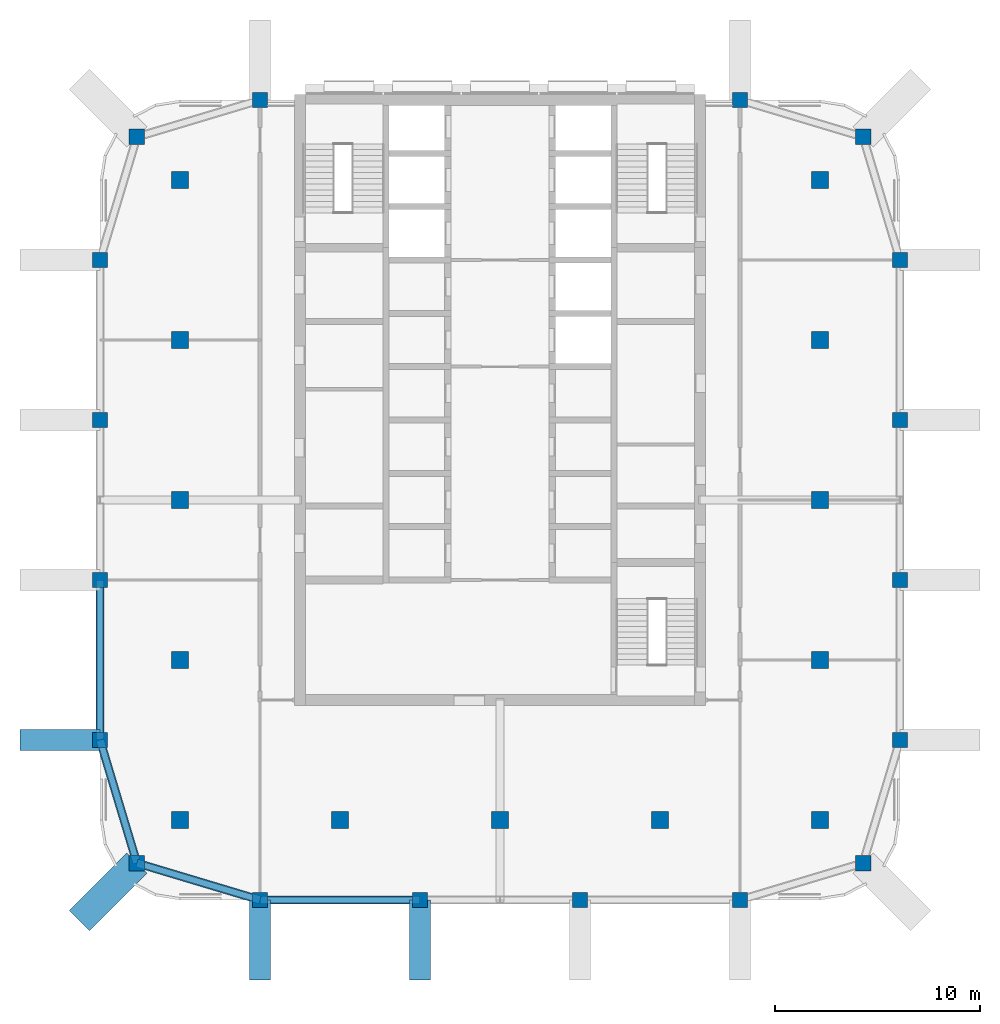
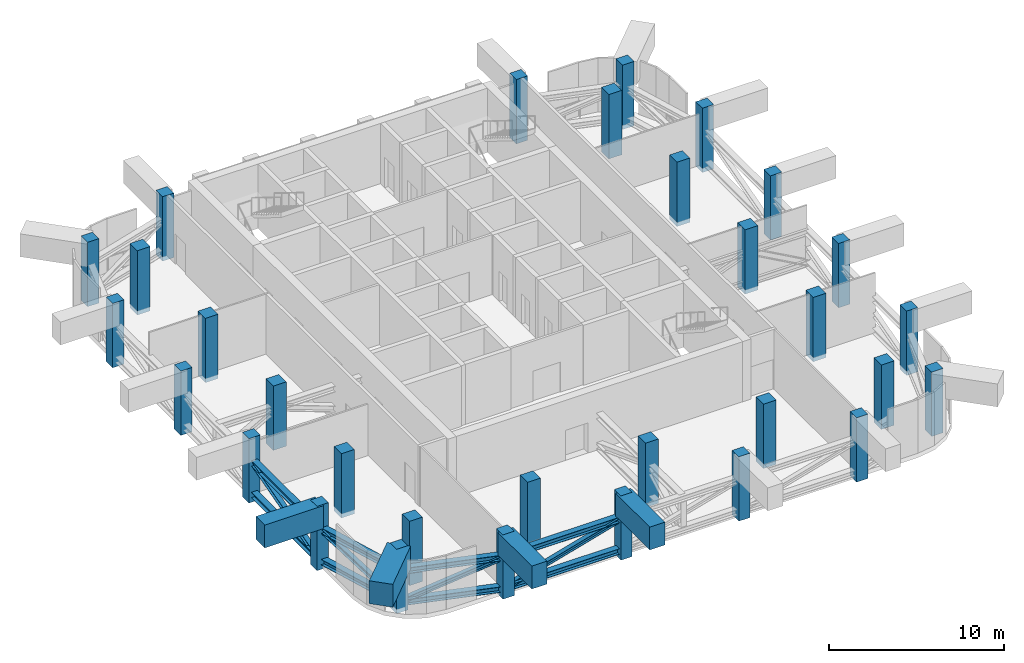
# One storey, part 1 of 13: 31 columns, 12 members, 4 beams.
"""IFC4 building model written with IfcOpenShell, lengths in metres."""

from ifc_helpers import new_model, si_unit, direction, frame, origin, origin_2d, place, context, subcontext, project, spatial, rectangle, i_section, extrude, material, material_profile, profile_set, type_object, element, save


model = new_model("IFC4")

# Units and contexts
model_context = context("Model", 3, precision=1e-05, world=origin(), true_north=direction((0.0, 1.0)))
body_context = subcontext(model_context, "Body", "Model", "MODEL_VIEW")
ifc_project = project(units=[si_unit("LENGTHUNIT", "METRE"), si_unit("AREAUNIT", "SQUARE_METRE"), si_unit("VOLUMEUNIT", "CUBIC_METRE"), si_unit("PLANEANGLEUNIT", "RADIAN"), si_unit("MASSUNIT", "GRAM", prefix="KILO")], contexts=[model_context])

# Site, building, storey
site_placement = place(None, origin())
site = spatial("IfcSite", under=ifc_project, at=site_placement, CompositionType="ELEMENT")
building_placement = place(site_placement, origin())
building = spatial("IfcBuilding", under=site, at=building_placement, Name="Ludao Terraces", CompositionType="ELEMENT")
storey_placement = place(building_placement, frame((0.0, 0.0, 192.800048828125)))
storey = spatial("IfcBuildingStorey", under=building, at=storey_placement, Name="L52", CompositionType="ELEMENT", Elevation=192.800048828125)

# Columns
ifc_material_1 = material(Name="Concrete C45", Category="concrete")
ifc_material_profile_1 = material_profile(ifc_material_1, rectangle(XDim=0.75, YDim=0.75, at=origin_2d()), Name="750 X 750")
ifc_profile_set_1 = profile_set([ifc_material_profile_1], Name="Concrete C45")
column_type_1 = type_object("IfcColumnType", Name="RC column 750x750 C45", PredefinedType="COLUMN", material=ifc_profile_set_1)
for number, where, z_axis, x_axis, name in (
    (1, (67.300048828125, 47.300048828125, -0.300048828125), (0.0, 0.0, 1.0), (1.0, 0.0, 0.0), "Column L52 C0057x0057"),
    (2, (102.699951171875, 47.300048828125, -0.300048828125), (0.0, 0.0, 1.0), (1.0, 0.0, 0.0), "Column L52 C0411x0057"),
    (3, (67.300048828125, 82.699951171875, -0.300048828125), (0.0, 0.0, 1.0), (1.0, 0.0, 0.0), "Column L52 C0057x0411"),
    (4, (102.699951171875, 82.699951171875, -0.300048828125), (0.0, 0.0, 1.0), (1.0, 0.0, 0.0), "Column L52 C0411x0411"),
    (5, (65.5, 53.300048828125, -0.300048828125), (0.0, 0.0, 1.0), (1.0, 0.0, 0.0), "Column L52 W0039x0117"),
    (6, (104.5, 53.300048828125, -0.300048828125), (0.0, 0.0, 1.0), (1.0, 0.0, 0.0), "Column L52 W0429x0117"),
    (7, (73.300048828125, 45.5, -0.300048828125), (0.0, 0.0, 1.0), (1.0, 0.0, 0.0), "Column L52 W0117x0039"),
    (8, (73.300048828125, 84.5, -0.300048828125), (0.0, 0.0, 1.0), (1.0, 0.0, 0.0), "Column L52 W0117x0429"),
    (9, (65.5, 61.10009765625, -0.300048828125), (0.0, 0.0, 1.0), (1.0, 0.0, 0.0), "Column L52 W0039x0195"),
    (10, (104.5, 61.10009765625, -0.300048828125), (0.0, 0.0, 1.0), (1.0, 0.0, 0.0), "Column L52 W0429x0195"),
    (11, (81.10009765625, 45.5, -0.300048828125), (0.0, 0.0, 1.0), (1.0, 0.0, 0.0), "Column L52 W0195x0039"),
    (12, (65.5, 68.89990234375, -0.300048828125), (0.0, 0.0, 1.0), (1.0, 0.0, 0.0), "Column L52 W0039x0273"),
    (13, (104.5, 68.89990234375, -0.300048828125), (0.0, 0.0, 1.0), (1.0, 0.0, 0.0), "Column L52 W0429x0273"),
    (14, (88.89990234375, 45.5, -0.300048828125), (0.0, 0.0, 1.0), (1.0, 0.0, 0.0), "Column L52 W0273x0039"),
    (15, (65.5, 76.699951171875, -0.300048828125), (0.0, 0.0, 1.0), (1.0, 0.0, 0.0), "Column L52 W0039x0351"),
    (16, (104.5, 76.699951171875, -0.300048828125), (0.0, 0.0, 1.0), (1.0, 0.0, 0.0), "Column L52 W0429x0351"),
    (17, (96.699951171875, 45.5, -0.300048828125), (0.0, 0.0, 1.0), (1.0, 0.0, 0.0), "Column L52 W0351x0039"),
    (18, (96.699951171875, 84.5, -0.300048828125), (0.0, 0.0, 1.0), (1.0, 0.0, 0.0), "Column L52 W0351x0429"),
):
    element("IfcColumn", number, at=place(storey_placement, frame(where, z_axis=z_axis, x_axis=x_axis)), inside=storey, type_object=column_type_1, Name=name, PredefinedType="COLUMN", context=body_context, shape_type="SweptSolid", body=[
        extrude(rectangle(XDim=0.75, YDim=0.75, at=origin_2d()), origin(), (0.0, 0.0, 1.0), 4.5),
    ])
ifc_material_profile_2 = material_profile(ifc_material_1, rectangle(XDim=0.85009765625, YDim=0.85009765625, at=origin_2d()), Name="850 X 850")
ifc_profile_set_2 = profile_set([ifc_material_profile_2], Name="Concrete C45")
column_type_2 = type_object("IfcColumnType", Name="RC column 850x850 C45", PredefinedType="COLUMN", material=ifc_profile_set_2)
for number, where, z_axis, x_axis, name in (
    (19, (69.39990234375, 49.39990234375, -0.300048828125), (0.0, 0.0, 1.0), (1.0, 0.0, 0.0), "Column L52 S0078x0078"),
    (20, (69.39990234375, 57.199951171875, -0.300048828125), (0.0, 0.0, 1.0), (1.0, 0.0, 0.0), "Column L52 S0078x0156"),
    (21, (69.39990234375, 65.0, -0.300048828125), (0.0, 0.0, 1.0), (1.0, 0.0, 0.0), "Column L52 S0078x0234"),
    (22, (69.39990234375, 72.800048828125, -0.300048828125), (0.0, 0.0, 1.0), (1.0, 0.0, 0.0), "Column L52 S0078x0312"),
    (23, (69.39990234375, 80.60009765625, -0.300048828125), (0.0, 0.0, 1.0), (1.0, 0.0, 0.0), "Column L52 S0078x0390"),
    (24, (77.199951171875, 49.39990234375, -0.300048828125), (0.0, 0.0, 1.0), (1.0, 0.0, 0.0), "Column L52 S0156x0078"),
    (25, (85.0, 49.39990234375, -0.300048828125), (0.0, 0.0, 1.0), (1.0, 0.0, 0.0), "Column L52 S0234x0078"),
    (26, (92.800048828125, 49.39990234375, -0.300048828125), (0.0, 0.0, 1.0), (1.0, 0.0, 0.0), "Column L52 S0312x0078"),
    (27, (100.60009765625, 49.39990234375, -0.300048828125), (0.0, 0.0, 1.0), (1.0, 0.0, 0.0), "Column L52 S0390x0078"),
    (28, (100.60009765625, 57.199951171875, -0.300048828125), (0.0, 0.0, 1.0), (1.0, 0.0, 0.0), "Column L52 S0390x0156"),
    (29, (100.60009765625, 65.0, -0.300048828125), (0.0, 0.0, 1.0), (1.0, 0.0, 0.0), "Column L52 S0390x0234"),
    (30, (100.60009765625, 72.800048828125, -0.300048828125), (0.0, 0.0, 1.0), (1.0, 0.0, 0.0), "Column L52 S0390x0312"),
    (31, (100.60009765625, 80.60009765625, -0.300048828125), (0.0, 0.0, 1.0), (1.0, 0.0, 0.0), "Column L52 S0390x0390"),
):
    element("IfcColumn", number, at=place(storey_placement, frame(where, z_axis=z_axis, x_axis=x_axis)), inside=storey, type_object=column_type_2, Name=name, PredefinedType="COLUMN", context=body_context, shape_type="SweptSolid", body=[
        extrude(rectangle(XDim=0.85009765625, YDim=0.85009765625, at=origin_2d()), origin(), (0.0, 0.0, 1.0), 4.5),
    ])

# Members
ifc_material_2 = material(Name="Steel Q355", Category="steel")
ifc_material_profile_3 = material_profile(ifc_material_2, i_section(OverallWidth=0.39990234375, OverallDepth=0.39990234375, WebThickness=0.012939453125, FlangeThickness=0.02099609375, at=origin_2d()), Name="HW 400X400X13X21")
ifc_profile_set_3 = profile_set([ifc_material_profile_3], Name="Steel Q355")
member_type_1 = type_object("IfcMemberType", Name="Belt truss chord HW 400x400x13x21 Q355", PredefinedType="CHORD", material=ifc_profile_set_3)
for number, where, z_axis, x_axis, name in (
    (32, (67.300048828125, 47.300048828125, 2.39990234375), (0.957824139839, -0.287355036744, 0.0), (0.287355036744, 0.957824139839, 0.0), "Truss chord L52 BT1T1"),
    (33, (67.300048828125, 47.300048828125, 0.199951171875), (0.957824139839, -0.287355036744, 0.0), (0.287355036744, 0.957824139839, 0.0), "Truss chord L52 BT1B1"),
):
    element("IfcMember", number, at=place(storey_placement, frame(where, z_axis=z_axis, x_axis=x_axis)), inside=storey, type_object=member_type_1, Name=name, PredefinedType="CHORD", context=body_context, shape_type="SweptSolid", body=[
        extrude(i_section(OverallWidth=0.39990234375, OverallDepth=0.39990234375, WebThickness=0.012939453125, FlangeThickness=0.02099609375, at=origin_2d()), origin(), (0.0, 0.0, 1.0), 6.26416015625),
    ])
for number, where, z_axis, x_axis, name in (
    (34, (73.300048828125, 45.5, 2.39990234375), (1.0, 0.0, 0.0), (0.0, 1.0, 0.0), "Truss chord L52 BT2T1"),
    (35, (73.300048828125, 45.5, 0.199951171875), (1.0, 0.0, 0.0), (0.0, 1.0, 0.0), "Truss chord L52 BT2B1"),
):
    element("IfcMember", number, at=place(storey_placement, frame(where, z_axis=z_axis, x_axis=x_axis)), inside=storey, type_object=member_type_1, Name=name, PredefinedType="CHORD", context=body_context, shape_type="SweptSolid", body=[
        extrude(i_section(OverallWidth=0.39990234375, OverallDepth=0.39990234375, WebThickness=0.012939453125, FlangeThickness=0.02099609375, at=origin_2d()), origin(), (0.0, 0.0, 1.0), 7.800048828125),
    ])
for number, where, z_axis, x_axis, name in (
    (36, (67.300048828125, 47.300048828125, 2.39990234375), (-0.287355036744, 0.957824139839, 0.0), (-0.957824139839, -0.287355036744, 0.0), "Truss chord L52 BT8T1"),
    (37, (67.300048828125, 47.300048828125, 0.199951171875), (-0.287355036744, 0.957824139839, 0.0), (-0.957824139839, -0.287355036744, 0.0), "Truss chord L52 BT8B1"),
):
    element("IfcMember", number, at=place(storey_placement, frame(where, z_axis=z_axis, x_axis=x_axis)), inside=storey, type_object=member_type_1, Name=name, PredefinedType="CHORD", context=body_context, shape_type="SweptSolid", body=[
        extrude(i_section(OverallWidth=0.39990234375, OverallDepth=0.39990234375, WebThickness=0.012939453125, FlangeThickness=0.02099609375, at=origin_2d()), origin(), (0.0, 0.0, 1.0), 6.26416015625),
    ])
for number, where, z_axis, x_axis, name in (
    (38, (65.5, 53.300048828125, 2.39990234375), (0.0, 1.0, 0.0), (-1.0, 0.0, 0.0), "Truss chord L52 BT9T1"),
    (39, (65.5, 53.300048828125, 0.199951171875), (0.0, 1.0, 0.0), (-1.0, 0.0, 0.0), "Truss chord L52 BT9B1"),
):
    element("IfcMember", number, at=place(storey_placement, frame(where, z_axis=z_axis, x_axis=x_axis)), inside=storey, type_object=member_type_1, Name=name, PredefinedType="CHORD", context=body_context, shape_type="SweptSolid", body=[
        extrude(i_section(OverallWidth=0.39990234375, OverallDepth=0.39990234375, WebThickness=0.012939453125, FlangeThickness=0.02099609375, at=origin_2d()), origin(), (0.0, 0.0, 1.0), 7.800048828125),
    ])
ifc_material_profile_4 = material_profile(ifc_material_2, i_section(OverallWidth=0.300048828125, OverallDepth=0.300048828125, WebThickness=0.010009765625, FlangeThickness=0.014892578125, at=origin_2d()), Name="HW 300X300X10X15")
ifc_profile_set_4 = profile_set([ifc_material_profile_4], Name="Steel Q355")
member_type_2 = type_object("IfcMemberType", Name="Belt truss diagonal HW 300x300x10x15 Q355", PredefinedType="BRACE", material=ifc_profile_set_4)
member_1_placement = place(storey_placement, frame((67.300048828125, 47.300048828125, 0.199951171875), z_axis=(0.903713250067, -0.271121329457, 0.331354170587), x_axis=(0.287355036744, 0.957824139839, 0.0)))
element("IfcMember", 40, at=member_1_placement, inside=storey, type_object=member_type_2, Name="Truss diagonal L52 BT11", PredefinedType="BRACE", context=body_context, shape_type="SweptSolid", body=[
    extrude(i_section(OverallWidth=0.300048828125, OverallDepth=0.300048828125, WebThickness=0.010009765625, FlangeThickness=0.014892578125, at=origin_2d()), origin(), (0.0, 0.0, 1.0), 6.63916015625),
])
member_2_placement = place(storey_placement, frame((73.300048828125, 45.5, 0.199951171875), z_axis=(0.962451694053, 0.0, 0.271453009957), x_axis=(0.0, 1.0, 0.0)))
element("IfcMember", 41, at=member_2_placement, inside=storey, type_object=member_type_2, Name="Truss diagonal L52 BT21", PredefinedType="BRACE", context=body_context, shape_type="SweptSolid", body=[
    extrude(i_section(OverallWidth=0.300048828125, OverallDepth=0.300048828125, WebThickness=0.010009765625, FlangeThickness=0.014892578125, at=origin_2d()), origin(), (0.0, 0.0, 1.0), 8.104248046875),
])
member_3_placement = place(storey_placement, frame((67.300048828125, 47.300048828125, 0.199951171875), z_axis=(-0.271121329457, 0.903713250067, 0.331354170587), x_axis=(-0.957824139839, -0.287355036744, 0.0)))
element("IfcMember", 42, at=member_3_placement, inside=storey, type_object=member_type_2, Name="Truss diagonal L52 BT81", PredefinedType="BRACE", context=body_context, shape_type="SweptSolid", body=[
    extrude(i_section(OverallWidth=0.300048828125, OverallDepth=0.300048828125, WebThickness=0.010009765625, FlangeThickness=0.014892578125, at=origin_2d()), origin(), (0.0, 0.0, 1.0), 6.63916015625),
])
member_4_placement = place(storey_placement, frame((65.5, 53.300048828125, 0.199951171875), z_axis=(0.0, 0.962451694053, 0.271453009957), x_axis=(-1.0, 0.0, 0.0)))
element("IfcMember", 43, at=member_4_placement, inside=storey, type_object=member_type_2, Name="Truss diagonal L52 BT91", PredefinedType="BRACE", context=body_context, shape_type="SweptSolid", body=[
    extrude(i_section(OverallWidth=0.300048828125, OverallDepth=0.300048828125, WebThickness=0.010009765625, FlangeThickness=0.014892578125, at=origin_2d()), origin(), (0.0, 0.0, 1.0), 8.104248046875),
])

# Beams
ifc_material_3 = material(Name="Concrete C60", Category="concrete")
ifc_material_profile_5 = material_profile(ifc_material_3, rectangle(XDim=1.0, YDim=1.60009765625, at=origin_2d()), Name="1000 X 1600")
ifc_profile_set_5 = profile_set([ifc_material_profile_5], Name="Concrete C60")
beam_type_1 = type_object("IfcBeamType", Name="RC beam 1000x1600 C60", PredefinedType="BEAM", material=ifc_profile_set_5)
for number, where, z_axis, x_axis, name in (
    (44, (61.60009765625, 53.300048828125, 3.39990234375), (1.0, 0.0, 0.0), (0.0, 1.0, 0.0), "Transfer girder L52 corbel 1"),
    (45, (73.300048828125, 41.60009765625, 3.39990234375), (0.0, 1.0, 0.0), (-1.0, 0.0, 0.0), "Transfer girder L52 corbel 5"),
    (46, (81.10009765625, 41.60009765625, 3.39990234375), (0.0, 1.0, 0.0), (-1.0, 0.0, 0.0), "Transfer girder L52 corbel 7"),
):
    element("IfcBeam", number, at=place(storey_placement, frame(where, z_axis=z_axis, x_axis=x_axis)), inside=storey, type_object=beam_type_1, Name=name, PredefinedType="BEAM", context=body_context, shape_type="SweptSolid", body=[
        extrude(rectangle(XDim=1.0, YDim=1.60009765625, at=origin_2d()), origin(), (0.0, 0.0, 1.0), 3.89990234375),
    ])
ifc_material_profile_6 = material_profile(ifc_material_3, rectangle(XDim=1.39990234375, YDim=1.60009765625, at=origin_2d()), Name="1400 X 1600")
ifc_profile_set_6 = profile_set([ifc_material_profile_6], Name="Concrete C60")
beam_type_2 = type_object("IfcBeamType", Name="RC beam 1400x1600 C60", PredefinedType="BEAM", material=ifc_profile_set_6)
beam_placement = place(storey_placement, frame((64.5, 44.5, 3.39990234375), z_axis=(0.707106781187, 0.707106781187, 0.0), x_axis=(-0.707106781187, 0.707106781187, 0.0)))
element("IfcBeam", 47, at=beam_placement, inside=storey, type_object=beam_type_2, Name="Transfer girder L52 corner SW", PredefinedType="BEAM", context=body_context, shape_type="SweptSolid", body=[
    extrude(rectangle(XDim=1.39990234375, YDim=1.60009765625, at=origin_2d()), origin(), (0.0, 0.0, 1.0), 3.9599609375),
])

save(model, "model.ifc")
